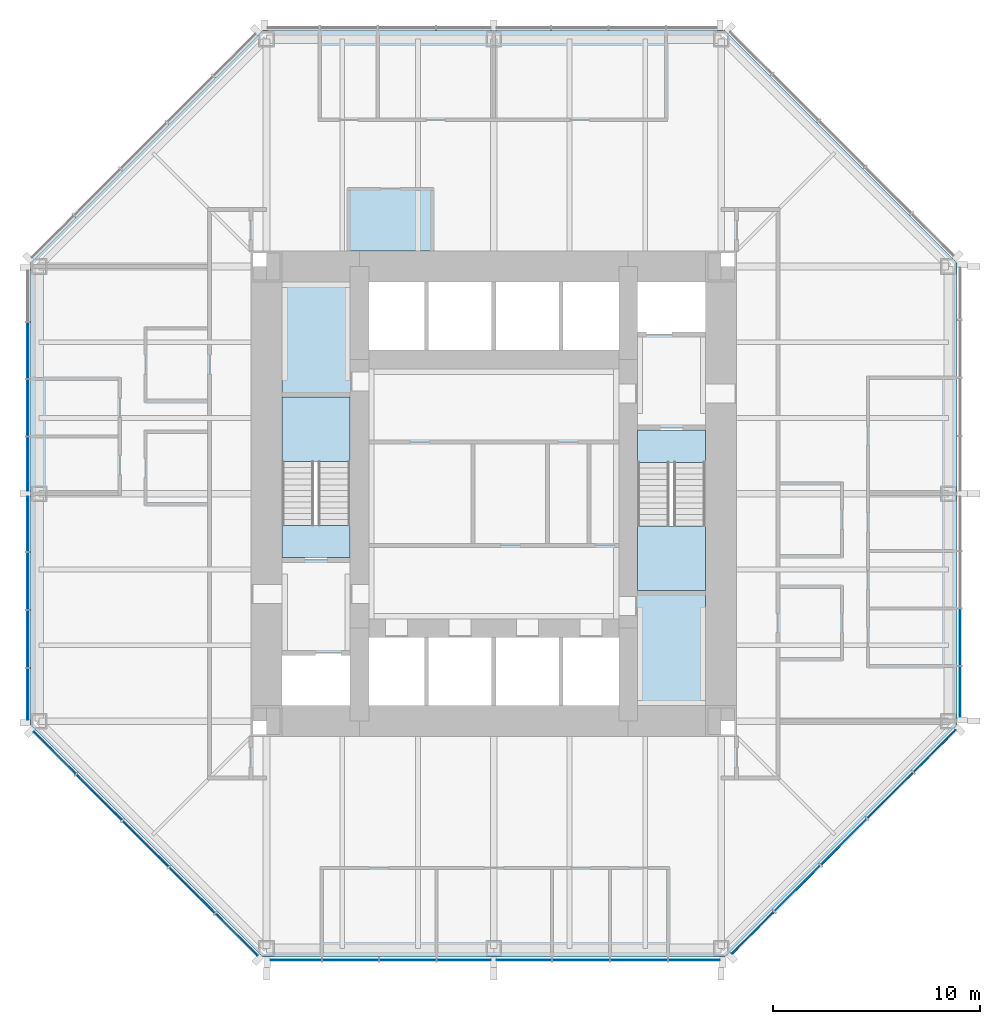
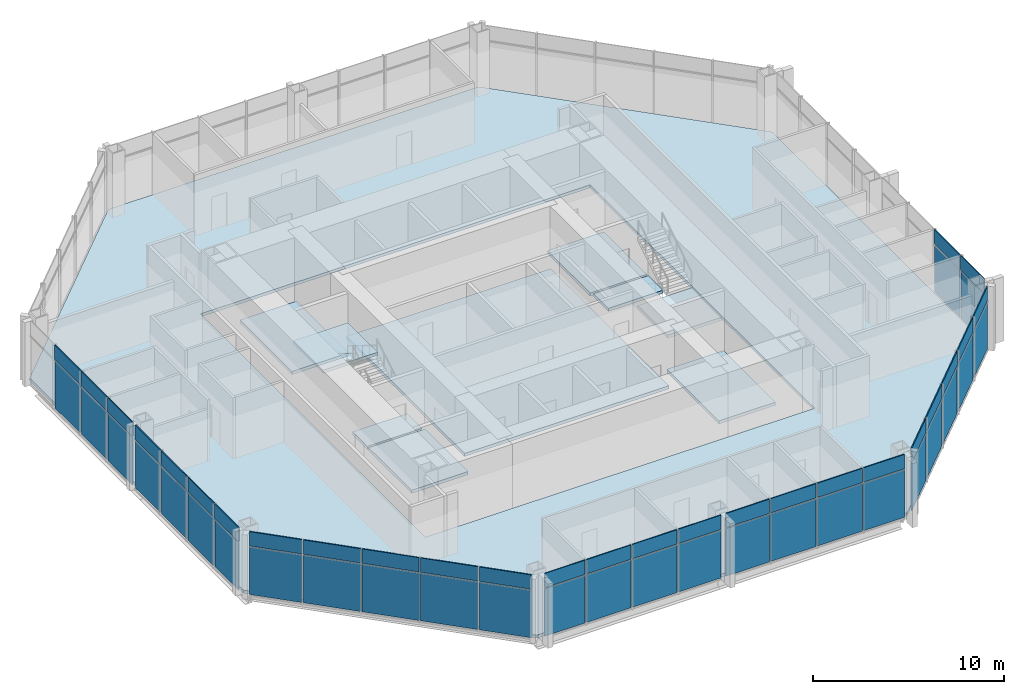
# One storey, part 7 of 12: 54 plates, 10 slabs, 7 elements without a shape of their own.
"""IFC4 building model written with IfcOpenShell, lengths in metres."""

from ifc_helpers import new_model, si_unit, direction, frame, origin, origin_2d, place, context, subcontext, project, spatial, polyline, rectangle, outline, extrude, material, layer, layer_set, type_object, element, aggregate, save


model = new_model("IFC4")

# Units and contexts
model_context = context("Model", 3, precision=1e-05, world=origin(), true_north=direction((0.0, 1.0)))
body_context = subcontext(model_context, "Body", "Model", "MODEL_VIEW")
ifc_project = project(units=[si_unit("LENGTHUNIT", "METRE"), si_unit("AREAUNIT", "SQUARE_METRE"), si_unit("VOLUMEUNIT", "CUBIC_METRE"), si_unit("PLANEANGLEUNIT", "RADIAN"), si_unit("MASSUNIT", "GRAM", prefix="KILO")], contexts=[model_context])

# Site, building, storey
site_placement = place(None, origin())
site = spatial("IfcSite", under=ifc_project, at=site_placement, CompositionType="ELEMENT")
building_placement = place(site_placement, origin())
building = spatial("IfcBuilding", under=site, at=building_placement, Name="Trevanion Tower", CompositionType="ELEMENT")
storey_placement = place(building_placement, frame((0.0, 0.0, 145.89990234375)))
storey = spatial("IfcBuildingStorey", under=building, at=storey_placement, Name="L34", CompositionType="ELEMENT", Elevation=145.89990234375)

# Curtain wall, plates
ifc_material_1 = material(Name="Aluminium and glass", Category="aluminium")
curtain_wall_type = type_object("IfcCurtainWallType", Name="CW2 curtain wall", PredefinedType="USERDEFINED", material=ifc_material_1)
curtain_wall_1_placement = place(storey_placement, origin())
curtain_wall_1 = element("IfcCurtainWall", 1, at=curtain_wall_1_placement, inside=storey, type_object=curtain_wall_type, Name="CW2 L34 0", ObjectType="UNITISED CURTAIN WALL", PredefinedType="USERDEFINED")
ifc_material_2 = material(Name="Aluminium spandrel panel", Category="aluminium")
ifc_layer_1 = layer(ifc_material_2, 0.06005859375)
ifc_layer_set_1 = layer_set([ifc_layer_1], Name="CW2 spandrel panel")
plate_type_1 = type_object("IfcPlateType", Name="CW2 spandrel panel", PredefinedType="CURTAIN_PANEL", material=ifc_layer_set_1)
plate_1_placement = place(storey_placement, frame((22.550048828125, -9.579345703125, 2.99755859375), z_axis=(0.0, 0.0, 1.0), x_axis=(0.0, 1.0, 0.0)))
plate_1 = element("IfcPlate", 2, at=plate_1_placement, type_object=plate_type_1, Name="CW2 panel 1.2", PredefinedType="CURTAIN_PANEL", context=body_context, shape_type="SweptSolid", body=[
    extrude(rectangle(XDim=2.43701171875, YDim=0.06005859375, at=origin_2d()), origin(), (0.0, 0.0, 1.0), 0.91259765625),
])
plate_2_placement = place(storey_placement, frame((22.550048828125, -6.93603515625, 2.99755859375), z_axis=(0.0, 0.0, 1.0), x_axis=(0.0, 1.0, 0.0)))
plate_2 = element("IfcPlate", 3, at=plate_2_placement, type_object=plate_type_1, Name="CW2 panel 2.2", PredefinedType="CURTAIN_PANEL", context=body_context, shape_type="SweptSolid", body=[
    extrude(rectangle(XDim=2.699462890625, YDim=0.06005859375, at=origin_2d()), origin(), (0.0, 0.0, 1.0), 0.91259765625),
])

curtain_wall_2_placement = place(storey_placement, origin())
curtain_wall_2 = element("IfcCurtainWall", 4, at=curtain_wall_2_placement, inside=storey, type_object=curtain_wall_type, Name="CW2 L34 4", ObjectType="UNITISED CURTAIN WALL", PredefinedType="USERDEFINED")
plate_3_placement = place(storey_placement, frame((-22.550048828125, 6.93603515625, 2.99755859375), z_axis=(0.0, 0.0, 1.0), x_axis=(0.0, -1.0, 0.0)))
plate_3 = element("IfcPlate", 5, at=plate_3_placement, type_object=plate_type_1, Name="CW2 panel 2.2", PredefinedType="CURTAIN_PANEL", context=body_context, shape_type="SweptSolid", body=[
    extrude(rectangle(XDim=2.699462890625, YDim=0.06005859375, at=origin_2d()), origin(), (0.0, 0.0, 1.0), 0.91259765625),
])
plate_4_placement = place(storey_placement, frame((-22.550048828125, 4.16162109375, 2.99755859375), z_axis=(0.0, 0.0, 1.0), x_axis=(0.0, -1.0, 0.0)))
plate_4 = element("IfcPlate", 6, at=plate_4_placement, type_object=plate_type_1, Name="CW2 panel 3.2", PredefinedType="CURTAIN_PANEL", context=body_context, shape_type="SweptSolid", body=[
    extrude(rectangle(XDim=2.699462890625, YDim=0.06005859375, at=origin_2d()), origin(), (0.0, 0.0, 1.0), 0.91259765625),
])
plate_5_placement = place(storey_placement, frame((-22.550048828125, 1.443603515625, 2.99755859375), z_axis=(0.0, 0.0, 1.0), x_axis=(0.0, -1.0, 0.0)))
plate_5 = element("IfcPlate", 7, at=plate_5_placement, type_object=plate_type_1, Name="CW2 panel 4.2", PredefinedType="CURTAIN_PANEL", context=body_context, shape_type="SweptSolid", body=[
    extrude(rectangle(XDim=2.5869140625, YDim=0.06005859375, at=origin_2d()), origin(), (0.0, 0.0, 1.0), 0.91259765625),
])
plate_6_placement = place(storey_placement, frame((-22.550048828125, -1.459716796875, 2.99755859375), z_axis=(0.0, 0.0, 1.0), x_axis=(0.0, -1.0, 0.0)))
plate_6 = element("IfcPlate", 8, at=plate_6_placement, type_object=plate_type_1, Name="CW2 panel 5.2", PredefinedType="CURTAIN_PANEL", context=body_context, shape_type="SweptSolid", body=[
    extrude(rectangle(XDim=2.619384765625, YDim=0.06005859375, at=origin_2d()), origin(), (0.0, 0.0, 1.0), 0.91259765625),
])
plate_7_placement = place(storey_placement, frame((-22.550048828125, -4.21044921875, 2.99755859375), z_axis=(0.0, 0.0, 1.0), x_axis=(0.0, -1.0, 0.0)))
plate_7 = element("IfcPlate", 9, at=plate_7_placement, type_object=plate_type_1, Name="CW2 panel 6.2", PredefinedType="CURTAIN_PANEL", context=body_context, shape_type="SweptSolid", body=[
    extrude(rectangle(XDim=2.73193359375, YDim=0.06005859375, at=origin_2d()), origin(), (0.0, 0.0, 1.0), 0.91259765625),
])
plate_8_placement = place(storey_placement, frame((-22.550048828125, -7.017333984375, 2.99755859375), z_axis=(0.0, 0.0, 1.0), x_axis=(0.0, -1.0, 0.0)))
plate_8 = element("IfcPlate", 10, at=plate_8_placement, type_object=plate_type_1, Name="CW2 panel 7.2", PredefinedType="CURTAIN_PANEL", context=body_context, shape_type="SweptSolid", body=[
    extrude(rectangle(XDim=2.73193359375, YDim=0.06005859375, at=origin_2d()), origin(), (0.0, 0.0, 1.0), 0.91259765625),
])
plate_9_placement = place(storey_placement, frame((-22.550048828125, -9.693115234375, 2.99755859375), z_axis=(0.0, 0.0, 1.0), x_axis=(0.0, -1.0, 0.0)))
plate_9 = element("IfcPlate", 11, at=plate_9_placement, type_object=plate_type_1, Name="CW2 panel 8.2", PredefinedType="CURTAIN_PANEL", context=body_context, shape_type="SweptSolid", body=[
    extrude(rectangle(XDim=2.469482421875, YDim=0.06005859375, at=origin_2d()), origin(), (0.0, 0.0, 1.0), 0.91259765625),
])

curtain_wall_3_placement = place(storey_placement, origin())
curtain_wall_3 = element("IfcCurtainWall", 12, at=curtain_wall_3_placement, inside=storey, type_object=curtain_wall_type, Name="CW2 L34 5", ObjectType="UNITISED CURTAIN WALL", PredefinedType="USERDEFINED")
plate_10_placement = place(storey_placement, frame((-21.2421875, -12.53564453125, 2.99755859375), z_axis=(0.0, 0.0, 1.0), x_axis=(0.707106781187, -0.707106781187, 0.0)))
plate_10 = element("IfcPlate", 13, at=plate_10_placement, type_object=plate_type_1, Name="CW2 panel 1.2", PredefinedType="CURTAIN_PANEL", context=body_context, shape_type="SweptSolid", body=[
    extrude(rectangle(XDim=2.8388671875, YDim=0.06005859375, at=origin_2d()), origin(), (0.0, 0.0, 1.0), 0.91259765625),
])
plate_11_placement = place(storey_placement, frame((-19.089111328125, -14.688720703125, 2.99755859375), z_axis=(0.0, 0.0, 1.0), x_axis=(0.707106781187, -0.707106781187, 0.0)))
plate_11 = element("IfcPlate", 14, at=plate_11_placement, type_object=plate_type_1, Name="CW2 panel 2.2", PredefinedType="CURTAIN_PANEL", context=body_context, shape_type="SweptSolid", body=[
    extrude(rectangle(XDim=3.101318359375, YDim=0.06005859375, at=origin_2d()), origin(), (0.0, 0.0, 1.0), 0.91259765625),
])
plate_12_placement = place(storey_placement, frame((-16.843017578125, -16.934814453125, 2.99755859375), z_axis=(0.0, 0.0, 1.0), x_axis=(0.707106781187, -0.707106781187, 0.0)))
plate_12 = element("IfcPlate", 15, at=plate_12_placement, type_object=plate_type_1, Name="CW2 panel 3.2", PredefinedType="CURTAIN_PANEL", context=body_context, shape_type="SweptSolid", body=[
    extrude(rectangle(XDim=3.101318359375, YDim=0.06005859375, at=origin_2d()), origin(), (0.0, 0.0, 1.0), 0.91259765625),
])
plate_13_placement = place(storey_placement, frame((-14.596923828125, -19.180908203125, 2.99755859375), z_axis=(0.0, 0.0, 1.0), x_axis=(0.707106781187, -0.707106781187, 0.0)))
plate_13 = element("IfcPlate", 16, at=plate_13_placement, type_object=plate_type_1, Name="CW2 panel 4.2", PredefinedType="CURTAIN_PANEL", context=body_context, shape_type="SweptSolid", body=[
    extrude(rectangle(XDim=3.101318359375, YDim=0.06005859375, at=origin_2d()), origin(), (0.0, 0.0, 1.0), 0.91259765625),
])
plate_14_placement = place(storey_placement, frame((-12.443603515625, -21.334228515625, 2.99755859375), z_axis=(0.0, 0.0, 1.0), x_axis=(0.707106781187, -0.707106781187, 0.0)))
plate_14 = element("IfcPlate", 17, at=plate_14_placement, type_object=plate_type_1, Name="CW2 panel 5.2", PredefinedType="CURTAIN_PANEL", context=body_context, shape_type="SweptSolid", body=[
    extrude(rectangle(XDim=2.8388671875, YDim=0.06005859375, at=origin_2d()), origin(), (0.0, 0.0, 1.0), 0.91259765625),
])

curtain_wall_4_placement = place(storey_placement, origin())
curtain_wall_4 = element("IfcCurtainWall", 18, at=curtain_wall_4_placement, inside=storey, type_object=curtain_wall_type, Name="CW2 L34 6", ObjectType="UNITISED CURTAIN WALL", PredefinedType="USERDEFINED")
plate_15_placement = place(storey_placement, frame((-9.579345703125, -22.550048828125, 2.99755859375), z_axis=(0.0, 0.0, 1.0), x_axis=(1.0, 0.0, 0.0)))
plate_15 = element("IfcPlate", 19, at=plate_15_placement, type_object=plate_type_1, Name="CW2 panel 1.2", PredefinedType="CURTAIN_PANEL", context=body_context, shape_type="SweptSolid", body=[
    extrude(rectangle(XDim=2.43701171875, YDim=0.06005859375, at=origin_2d()), origin(), (0.0, 0.0, 1.0), 0.91259765625),
])
plate_16_placement = place(storey_placement, frame((-6.93603515625, -22.550048828125, 2.99755859375), z_axis=(0.0, 0.0, 1.0), x_axis=(1.0, 0.0, 0.0)))
plate_16 = element("IfcPlate", 20, at=plate_16_placement, type_object=plate_type_1, Name="CW2 panel 2.2", PredefinedType="CURTAIN_PANEL", context=body_context, shape_type="SweptSolid", body=[
    extrude(rectangle(XDim=2.699462890625, YDim=0.06005859375, at=origin_2d()), origin(), (0.0, 0.0, 1.0), 0.91259765625),
])
plate_17_placement = place(storey_placement, frame((-4.16162109375, -22.550048828125, 2.99755859375), z_axis=(0.0, 0.0, 1.0), x_axis=(1.0, 0.0, 0.0)))
plate_17 = element("IfcPlate", 21, at=plate_17_placement, type_object=plate_type_1, Name="CW2 panel 3.2", PredefinedType="CURTAIN_PANEL", context=body_context, shape_type="SweptSolid", body=[
    extrude(rectangle(XDim=2.699462890625, YDim=0.06005859375, at=origin_2d()), origin(), (0.0, 0.0, 1.0), 0.91259765625),
])
plate_18_placement = place(storey_placement, frame((-1.443603515625, -22.550048828125, 2.99755859375), z_axis=(0.0, 0.0, 1.0), x_axis=(1.0, 0.0, 0.0)))
plate_18 = element("IfcPlate", 22, at=plate_18_placement, type_object=plate_type_1, Name="CW2 panel 4.2", PredefinedType="CURTAIN_PANEL", context=body_context, shape_type="SweptSolid", body=[
    extrude(rectangle(XDim=2.5869140625, YDim=0.06005859375, at=origin_2d()), origin(), (0.0, 0.0, 1.0), 0.91259765625),
])
plate_19_placement = place(storey_placement, frame((1.459716796875, -22.550048828125, 2.99755859375), z_axis=(0.0, 0.0, 1.0), x_axis=(1.0, 0.0, 0.0)))
plate_19 = element("IfcPlate", 23, at=plate_19_placement, type_object=plate_type_1, Name="CW2 panel 5.2", PredefinedType="CURTAIN_PANEL", context=body_context, shape_type="SweptSolid", body=[
    extrude(rectangle(XDim=2.619384765625, YDim=0.06005859375, at=origin_2d()), origin(), (0.0, 0.0, 1.0), 0.91259765625),
])
plate_20_placement = place(storey_placement, frame((4.21044921875, -22.550048828125, 2.99755859375), z_axis=(0.0, 0.0, 1.0), x_axis=(1.0, 0.0, 0.0)))
plate_20 = element("IfcPlate", 24, at=plate_20_placement, type_object=plate_type_1, Name="CW2 panel 6.2", PredefinedType="CURTAIN_PANEL", context=body_context, shape_type="SweptSolid", body=[
    extrude(rectangle(XDim=2.73193359375, YDim=0.06005859375, at=origin_2d()), origin(), (0.0, 0.0, 1.0), 0.91259765625),
])
plate_21_placement = place(storey_placement, frame((7.017333984375, -22.550048828125, 2.99755859375), z_axis=(0.0, 0.0, 1.0), x_axis=(1.0, 0.0, 0.0)))
plate_21 = element("IfcPlate", 25, at=plate_21_placement, type_object=plate_type_1, Name="CW2 panel 7.2", PredefinedType="CURTAIN_PANEL", context=body_context, shape_type="SweptSolid", body=[
    extrude(rectangle(XDim=2.73193359375, YDim=0.06005859375, at=origin_2d()), origin(), (0.0, 0.0, 1.0), 0.91259765625),
])
plate_22_placement = place(storey_placement, frame((9.693115234375, -22.550048828125, 2.99755859375), z_axis=(0.0, 0.0, 1.0), x_axis=(1.0, 0.0, 0.0)))
plate_22 = element("IfcPlate", 26, at=plate_22_placement, type_object=plate_type_1, Name="CW2 panel 8.2", PredefinedType="CURTAIN_PANEL", context=body_context, shape_type="SweptSolid", body=[
    extrude(rectangle(XDim=2.469482421875, YDim=0.06005859375, at=origin_2d()), origin(), (0.0, 0.0, 1.0), 0.91259765625),
])

curtain_wall_5_placement = place(storey_placement, origin())
curtain_wall_5 = element("IfcCurtainWall", 27, at=curtain_wall_5_placement, inside=storey, type_object=curtain_wall_type, Name="CW2 L34 7", ObjectType="UNITISED CURTAIN WALL", PredefinedType="USERDEFINED")
plate_23_placement = place(storey_placement, frame((12.53564453125, -21.2421875, 2.99755859375), z_axis=(0.0, 0.0, 1.0), x_axis=(0.707106781187, 0.707106781187, 0.0)))
plate_23 = element("IfcPlate", 28, at=plate_23_placement, type_object=plate_type_1, Name="CW2 panel 1.2", PredefinedType="CURTAIN_PANEL", context=body_context, shape_type="SweptSolid", body=[
    extrude(rectangle(XDim=2.8388671875, YDim=0.06005859375, at=origin_2d()), origin(), (0.0, 0.0, 1.0), 0.91259765625),
])
plate_24_placement = place(storey_placement, frame((14.688720703125, -19.089111328125, 2.99755859375), z_axis=(0.0, 0.0, 1.0), x_axis=(0.707106781187, 0.707106781187, 0.0)))
plate_24 = element("IfcPlate", 29, at=plate_24_placement, type_object=plate_type_1, Name="CW2 panel 2.2", PredefinedType="CURTAIN_PANEL", context=body_context, shape_type="SweptSolid", body=[
    extrude(rectangle(XDim=3.101318359375, YDim=0.06005859375, at=origin_2d()), origin(), (0.0, 0.0, 1.0), 0.91259765625),
])
plate_25_placement = place(storey_placement, frame((16.934814453125, -16.843017578125, 2.99755859375), z_axis=(0.0, 0.0, 1.0), x_axis=(0.707106781187, 0.707106781187, 0.0)))
plate_25 = element("IfcPlate", 30, at=plate_25_placement, type_object=plate_type_1, Name="CW2 panel 3.2", PredefinedType="CURTAIN_PANEL", context=body_context, shape_type="SweptSolid", body=[
    extrude(rectangle(XDim=3.101318359375, YDim=0.06005859375, at=origin_2d()), origin(), (0.0, 0.0, 1.0), 0.91259765625),
])
plate_26_placement = place(storey_placement, frame((19.180908203125, -14.596923828125, 2.99755859375), z_axis=(0.0, 0.0, 1.0), x_axis=(0.707106781187, 0.707106781187, 0.0)))
plate_26 = element("IfcPlate", 31, at=plate_26_placement, type_object=plate_type_1, Name="CW2 panel 4.2", PredefinedType="CURTAIN_PANEL", context=body_context, shape_type="SweptSolid", body=[
    extrude(rectangle(XDim=3.101318359375, YDim=0.06005859375, at=origin_2d()), origin(), (0.0, 0.0, 1.0), 0.91259765625),
])
plate_27_placement = place(storey_placement, frame((21.334228515625, -12.443603515625, 2.99755859375), z_axis=(0.0, 0.0, 1.0), x_axis=(0.707106781187, 0.707106781187, 0.0)))
plate_27 = element("IfcPlate", 32, at=plate_27_placement, type_object=plate_type_1, Name="CW2 panel 5.2", PredefinedType="CURTAIN_PANEL", context=body_context, shape_type="SweptSolid", body=[
    extrude(rectangle(XDim=2.8388671875, YDim=0.06005859375, at=origin_2d()), origin(), (0.0, 0.0, 1.0), 0.91259765625),
])

# Plate
ifc_material_3 = material(Name="Insulating glass unit", Category="glass")
ifc_layer_2 = layer(ifc_material_3, 0.028076171875)
ifc_layer_set_2 = layer_set([ifc_layer_2], Name="CW2 vision panel")
plate_type_2 = type_object("IfcPlateType", Name="CW2 vision panel", PredefinedType="CURTAIN_PANEL", material=ifc_layer_set_2)
plate_28_placement = place(storey_placement, frame((22.550048828125, -9.579345703125, -0.114990234375), z_axis=(0.0, 0.0, 1.0), x_axis=(0.0, 1.0, 0.0)))
plate_28 = element("IfcPlate", 33, at=plate_28_placement, type_object=plate_type_2, Name="CW2 panel 1.1", PredefinedType="CURTAIN_PANEL", context=body_context, shape_type="SweptSolid", body=[
    extrude(rectangle(XDim=2.43701171875, YDim=0.028076171875, at=origin_2d()), origin(), (0.0, 0.0, 1.0), 3.03759765625),
])

plate_29_placement = place(storey_placement, frame((22.550048828125, -6.93603515625, -0.114990234375), z_axis=(0.0, 0.0, 1.0), x_axis=(0.0, 1.0, 0.0)))
plate_29 = element("IfcPlate", 34, at=plate_29_placement, type_object=plate_type_2, Name="CW2 panel 2.1", PredefinedType="CURTAIN_PANEL", context=body_context, shape_type="SweptSolid", body=[
    extrude(rectangle(XDim=2.699462890625, YDim=0.028076171875, at=origin_2d()), origin(), (0.0, 0.0, 1.0), 3.03759765625),
])

aggregate(curtain_wall_1, [plate_28, plate_1, plate_29, plate_2])

plate_30_placement = place(storey_placement, frame((-22.550048828125, 6.93603515625, -0.114990234375), z_axis=(0.0, 0.0, 1.0), x_axis=(0.0, -1.0, 0.0)))
plate_30 = element("IfcPlate", 35, at=plate_30_placement, type_object=plate_type_2, Name="CW2 panel 2.1", PredefinedType="CURTAIN_PANEL", context=body_context, shape_type="SweptSolid", body=[
    extrude(rectangle(XDim=2.699462890625, YDim=0.028076171875, at=origin_2d()), origin(), (0.0, 0.0, 1.0), 3.03759765625),
])

plate_31_placement = place(storey_placement, frame((-22.550048828125, 4.16162109375, -0.114990234375), z_axis=(0.0, 0.0, 1.0), x_axis=(0.0, -1.0, 0.0)))
plate_31 = element("IfcPlate", 36, at=plate_31_placement, type_object=plate_type_2, Name="CW2 panel 3.1", PredefinedType="CURTAIN_PANEL", context=body_context, shape_type="SweptSolid", body=[
    extrude(rectangle(XDim=2.699462890625, YDim=0.028076171875, at=origin_2d()), origin(), (0.0, 0.0, 1.0), 3.03759765625),
])

plate_32_placement = place(storey_placement, frame((-22.550048828125, 1.443603515625, -0.114990234375), z_axis=(0.0, 0.0, 1.0), x_axis=(0.0, -1.0, 0.0)))
plate_32 = element("IfcPlate", 37, at=plate_32_placement, type_object=plate_type_2, Name="CW2 panel 4.1", PredefinedType="CURTAIN_PANEL", context=body_context, shape_type="SweptSolid", body=[
    extrude(rectangle(XDim=2.5869140625, YDim=0.028076171875, at=origin_2d()), origin(), (0.0, 0.0, 1.0), 3.03759765625),
])

plate_33_placement = place(storey_placement, frame((-22.550048828125, -1.459716796875, -0.114990234375), z_axis=(0.0, 0.0, 1.0), x_axis=(0.0, -1.0, 0.0)))
plate_33 = element("IfcPlate", 38, at=plate_33_placement, type_object=plate_type_2, Name="CW2 panel 5.1", PredefinedType="CURTAIN_PANEL", context=body_context, shape_type="SweptSolid", body=[
    extrude(rectangle(XDim=2.619384765625, YDim=0.028076171875, at=origin_2d()), origin(), (0.0, 0.0, 1.0), 3.03759765625),
])

plate_34_placement = place(storey_placement, frame((-22.550048828125, -4.21044921875, -0.114990234375), z_axis=(0.0, 0.0, 1.0), x_axis=(0.0, -1.0, 0.0)))
plate_34 = element("IfcPlate", 39, at=plate_34_placement, type_object=plate_type_2, Name="CW2 panel 6.1", PredefinedType="CURTAIN_PANEL", context=body_context, shape_type="SweptSolid", body=[
    extrude(rectangle(XDim=2.73193359375, YDim=0.028076171875, at=origin_2d()), origin(), (0.0, 0.0, 1.0), 3.03759765625),
])

plate_35_placement = place(storey_placement, frame((-22.550048828125, -7.017333984375, -0.114990234375), z_axis=(0.0, 0.0, 1.0), x_axis=(0.0, -1.0, 0.0)))
plate_35 = element("IfcPlate", 40, at=plate_35_placement, type_object=plate_type_2, Name="CW2 panel 7.1", PredefinedType="CURTAIN_PANEL", context=body_context, shape_type="SweptSolid", body=[
    extrude(rectangle(XDim=2.73193359375, YDim=0.028076171875, at=origin_2d()), origin(), (0.0, 0.0, 1.0), 3.03759765625),
])

plate_36_placement = place(storey_placement, frame((-22.550048828125, -9.693115234375, -0.114990234375), z_axis=(0.0, 0.0, 1.0), x_axis=(0.0, -1.0, 0.0)))
plate_36 = element("IfcPlate", 41, at=plate_36_placement, type_object=plate_type_2, Name="CW2 panel 8.1", PredefinedType="CURTAIN_PANEL", context=body_context, shape_type="SweptSolid", body=[
    extrude(rectangle(XDim=2.469482421875, YDim=0.028076171875, at=origin_2d()), origin(), (0.0, 0.0, 1.0), 3.03759765625),
])

aggregate(curtain_wall_2, [plate_30, plate_3, plate_31, plate_4, plate_32, plate_5, plate_33, plate_6, plate_34, plate_7, plate_35, plate_8, plate_36, plate_9])

plate_37_placement = place(storey_placement, frame((-21.2421875, -12.53564453125, -0.114990234375), z_axis=(0.0, 0.0, 1.0), x_axis=(0.707106781187, -0.707106781187, 0.0)))
plate_37 = element("IfcPlate", 42, at=plate_37_placement, type_object=plate_type_2, Name="CW2 panel 1.1", PredefinedType="CURTAIN_PANEL", context=body_context, shape_type="SweptSolid", body=[
    extrude(rectangle(XDim=2.8388671875, YDim=0.028076171875, at=origin_2d()), origin(), (0.0, 0.0, 1.0), 3.03759765625),
])

plate_38_placement = place(storey_placement, frame((-19.089111328125, -14.688720703125, -0.114990234375), z_axis=(0.0, 0.0, 1.0), x_axis=(0.707106781187, -0.707106781187, 0.0)))
plate_38 = element("IfcPlate", 43, at=plate_38_placement, type_object=plate_type_2, Name="CW2 panel 2.1", PredefinedType="CURTAIN_PANEL", context=body_context, shape_type="SweptSolid", body=[
    extrude(rectangle(XDim=3.101318359375, YDim=0.028076171875, at=origin_2d()), origin(), (0.0, 0.0, 1.0), 3.03759765625),
])

plate_39_placement = place(storey_placement, frame((-16.843017578125, -16.934814453125, -0.114990234375), z_axis=(0.0, 0.0, 1.0), x_axis=(0.707106781187, -0.707106781187, 0.0)))
plate_39 = element("IfcPlate", 44, at=plate_39_placement, type_object=plate_type_2, Name="CW2 panel 3.1", PredefinedType="CURTAIN_PANEL", context=body_context, shape_type="SweptSolid", body=[
    extrude(rectangle(XDim=3.101318359375, YDim=0.028076171875, at=origin_2d()), origin(), (0.0, 0.0, 1.0), 3.03759765625),
])

plate_40_placement = place(storey_placement, frame((-14.596923828125, -19.180908203125, -0.114990234375), z_axis=(0.0, 0.0, 1.0), x_axis=(0.707106781187, -0.707106781187, 0.0)))
plate_40 = element("IfcPlate", 45, at=plate_40_placement, type_object=plate_type_2, Name="CW2 panel 4.1", PredefinedType="CURTAIN_PANEL", context=body_context, shape_type="SweptSolid", body=[
    extrude(rectangle(XDim=3.101318359375, YDim=0.028076171875, at=origin_2d()), origin(), (0.0, 0.0, 1.0), 3.03759765625),
])

plate_41_placement = place(storey_placement, frame((-12.443603515625, -21.334228515625, -0.114990234375), z_axis=(0.0, 0.0, 1.0), x_axis=(0.707106781187, -0.707106781187, 0.0)))
plate_41 = element("IfcPlate", 46, at=plate_41_placement, type_object=plate_type_2, Name="CW2 panel 5.1", PredefinedType="CURTAIN_PANEL", context=body_context, shape_type="SweptSolid", body=[
    extrude(rectangle(XDim=2.8388671875, YDim=0.028076171875, at=origin_2d()), origin(), (0.0, 0.0, 1.0), 3.03759765625),
])

aggregate(curtain_wall_3, [plate_37, plate_10, plate_38, plate_11, plate_39, plate_12, plate_40, plate_13, plate_41, plate_14])

plate_42_placement = place(storey_placement, frame((-9.579345703125, -22.550048828125, -0.114990234375), z_axis=(0.0, 0.0, 1.0), x_axis=(1.0, 0.0, 0.0)))
plate_42 = element("IfcPlate", 47, at=plate_42_placement, type_object=plate_type_2, Name="CW2 panel 1.1", PredefinedType="CURTAIN_PANEL", context=body_context, shape_type="SweptSolid", body=[
    extrude(rectangle(XDim=2.43701171875, YDim=0.028076171875, at=origin_2d()), origin(), (0.0, 0.0, 1.0), 3.03759765625),
])

plate_43_placement = place(storey_placement, frame((-6.93603515625, -22.550048828125, -0.114990234375), z_axis=(0.0, 0.0, 1.0), x_axis=(1.0, 0.0, 0.0)))
plate_43 = element("IfcPlate", 48, at=plate_43_placement, type_object=plate_type_2, Name="CW2 panel 2.1", PredefinedType="CURTAIN_PANEL", context=body_context, shape_type="SweptSolid", body=[
    extrude(rectangle(XDim=2.699462890625, YDim=0.028076171875, at=origin_2d()), origin(), (0.0, 0.0, 1.0), 3.03759765625),
])

plate_44_placement = place(storey_placement, frame((-4.16162109375, -22.550048828125, -0.114990234375), z_axis=(0.0, 0.0, 1.0), x_axis=(1.0, 0.0, 0.0)))
plate_44 = element("IfcPlate", 49, at=plate_44_placement, type_object=plate_type_2, Name="CW2 panel 3.1", PredefinedType="CURTAIN_PANEL", context=body_context, shape_type="SweptSolid", body=[
    extrude(rectangle(XDim=2.699462890625, YDim=0.028076171875, at=origin_2d()), origin(), (0.0, 0.0, 1.0), 3.03759765625),
])

plate_45_placement = place(storey_placement, frame((-1.443603515625, -22.550048828125, -0.114990234375), z_axis=(0.0, 0.0, 1.0), x_axis=(1.0, 0.0, 0.0)))
plate_45 = element("IfcPlate", 50, at=plate_45_placement, type_object=plate_type_2, Name="CW2 panel 4.1", PredefinedType="CURTAIN_PANEL", context=body_context, shape_type="SweptSolid", body=[
    extrude(rectangle(XDim=2.5869140625, YDim=0.028076171875, at=origin_2d()), origin(), (0.0, 0.0, 1.0), 3.03759765625),
])

plate_46_placement = place(storey_placement, frame((1.459716796875, -22.550048828125, -0.114990234375), z_axis=(0.0, 0.0, 1.0), x_axis=(1.0, 0.0, 0.0)))
plate_46 = element("IfcPlate", 51, at=plate_46_placement, type_object=plate_type_2, Name="CW2 panel 5.1", PredefinedType="CURTAIN_PANEL", context=body_context, shape_type="SweptSolid", body=[
    extrude(rectangle(XDim=2.619384765625, YDim=0.028076171875, at=origin_2d()), origin(), (0.0, 0.0, 1.0), 3.03759765625),
])

plate_47_placement = place(storey_placement, frame((4.21044921875, -22.550048828125, -0.114990234375), z_axis=(0.0, 0.0, 1.0), x_axis=(1.0, 0.0, 0.0)))
plate_47 = element("IfcPlate", 52, at=plate_47_placement, type_object=plate_type_2, Name="CW2 panel 6.1", PredefinedType="CURTAIN_PANEL", context=body_context, shape_type="SweptSolid", body=[
    extrude(rectangle(XDim=2.73193359375, YDim=0.028076171875, at=origin_2d()), origin(), (0.0, 0.0, 1.0), 3.03759765625),
])

plate_48_placement = place(storey_placement, frame((7.017333984375, -22.550048828125, -0.114990234375), z_axis=(0.0, 0.0, 1.0), x_axis=(1.0, 0.0, 0.0)))
plate_48 = element("IfcPlate", 53, at=plate_48_placement, type_object=plate_type_2, Name="CW2 panel 7.1", PredefinedType="CURTAIN_PANEL", context=body_context, shape_type="SweptSolid", body=[
    extrude(rectangle(XDim=2.73193359375, YDim=0.028076171875, at=origin_2d()), origin(), (0.0, 0.0, 1.0), 3.03759765625),
])

plate_49_placement = place(storey_placement, frame((9.693115234375, -22.550048828125, -0.114990234375), z_axis=(0.0, 0.0, 1.0), x_axis=(1.0, 0.0, 0.0)))
plate_49 = element("IfcPlate", 54, at=plate_49_placement, type_object=plate_type_2, Name="CW2 panel 8.1", PredefinedType="CURTAIN_PANEL", context=body_context, shape_type="SweptSolid", body=[
    extrude(rectangle(XDim=2.469482421875, YDim=0.028076171875, at=origin_2d()), origin(), (0.0, 0.0, 1.0), 3.03759765625),
])

aggregate(curtain_wall_4, [plate_42, plate_15, plate_43, plate_16, plate_44, plate_17, plate_45, plate_18, plate_46, plate_19, plate_47, plate_20, plate_48, plate_21, plate_49, plate_22])

plate_50_placement = place(storey_placement, frame((12.53564453125, -21.2421875, -0.114990234375), z_axis=(0.0, 0.0, 1.0), x_axis=(0.707106781187, 0.707106781187, 0.0)))
plate_50 = element("IfcPlate", 55, at=plate_50_placement, type_object=plate_type_2, Name="CW2 panel 1.1", PredefinedType="CURTAIN_PANEL", context=body_context, shape_type="SweptSolid", body=[
    extrude(rectangle(XDim=2.8388671875, YDim=0.028076171875, at=origin_2d()), origin(), (0.0, 0.0, 1.0), 3.03759765625),
])

plate_51_placement = place(storey_placement, frame((14.688720703125, -19.089111328125, -0.114990234375), z_axis=(0.0, 0.0, 1.0), x_axis=(0.707106781187, 0.707106781187, 0.0)))
plate_51 = element("IfcPlate", 56, at=plate_51_placement, type_object=plate_type_2, Name="CW2 panel 2.1", PredefinedType="CURTAIN_PANEL", context=body_context, shape_type="SweptSolid", body=[
    extrude(rectangle(XDim=3.101318359375, YDim=0.028076171875, at=origin_2d()), origin(), (0.0, 0.0, 1.0), 3.03759765625),
])

plate_52_placement = place(storey_placement, frame((16.934814453125, -16.843017578125, -0.114990234375), z_axis=(0.0, 0.0, 1.0), x_axis=(0.707106781187, 0.707106781187, 0.0)))
plate_52 = element("IfcPlate", 57, at=plate_52_placement, type_object=plate_type_2, Name="CW2 panel 3.1", PredefinedType="CURTAIN_PANEL", context=body_context, shape_type="SweptSolid", body=[
    extrude(rectangle(XDim=3.101318359375, YDim=0.028076171875, at=origin_2d()), origin(), (0.0, 0.0, 1.0), 3.03759765625),
])

plate_53_placement = place(storey_placement, frame((19.180908203125, -14.596923828125, -0.114990234375), z_axis=(0.0, 0.0, 1.0), x_axis=(0.707106781187, 0.707106781187, 0.0)))
plate_53 = element("IfcPlate", 58, at=plate_53_placement, type_object=plate_type_2, Name="CW2 panel 4.1", PredefinedType="CURTAIN_PANEL", context=body_context, shape_type="SweptSolid", body=[
    extrude(rectangle(XDim=3.101318359375, YDim=0.028076171875, at=origin_2d()), origin(), (0.0, 0.0, 1.0), 3.03759765625),
])

plate_54_placement = place(storey_placement, frame((21.334228515625, -12.443603515625, -0.114990234375), z_axis=(0.0, 0.0, 1.0), x_axis=(0.707106781187, 0.707106781187, 0.0)))
plate_54 = element("IfcPlate", 59, at=plate_54_placement, type_object=plate_type_2, Name="CW2 panel 5.1", PredefinedType="CURTAIN_PANEL", context=body_context, shape_type="SweptSolid", body=[
    extrude(rectangle(XDim=2.8388671875, YDim=0.028076171875, at=origin_2d()), origin(), (0.0, 0.0, 1.0), 3.03759765625),
])

aggregate(curtain_wall_5, [plate_50, plate_23, plate_51, plate_24, plate_52, plate_25, plate_53, plate_26, plate_54, plate_27])

# Slabs
ifc_material_4 = material(Name="Concrete 5,000 psi on composite metal deck", Category="concrete")
ifc_layer_3 = layer(ifc_material_4, 0.18994140625)
ifc_layer_set_3 = layer_set([ifc_layer_3], Name="SL1 composite floor 190")
slab_type_1 = type_object("IfcSlabType", Name="SL1 composite floor 190", PredefinedType="FLOOR", material=ifc_layer_set_3)
slab_1_placement = place(storey_placement, frame((0.0, 0.0, -0.18994140625)))
element("IfcSlab", 60, at=slab_1_placement, inside=storey, type_object=slab_type_1, Name="SL1 L34 floor", PredefinedType="FLOOR", context=body_context, shape_type="SweptSolid", body=[
    extrude(outline(polyline([(22.419921875, -11.174072265625), (22.419921875, 11.174072265625), (11.174072265625, 22.419921875), (-11.174072265625, 22.419921875), (-22.419921875, 11.174072265625), (-22.419921875, -11.174072265625), (-11.174072265625, -22.419921875), (11.174072265625, -22.419921875), (22.419921875, -11.174072265625)]), holes=[polyline([(11.75, -11.75), (11.75, 11.75), (-11.75, 11.75), (-11.75, -11.75), (11.75, -11.75)])]), origin(), (0.0, 0.0, 1.0), 0.18994140625),
])
ifc_material_5 = material(Name="Concrete 5,000 psi", Category="concrete")
ifc_layer_4 = layer(ifc_material_5, 0.199951171875)
ifc_layer_set_4 = layer_set([ifc_layer_4], Name="SL2 core floor 200")
slab_type_2 = type_object("IfcSlabType", Name="SL2 core floor 200", PredefinedType="FLOOR", material=ifc_layer_set_4)
slab_2_placement = place(storey_placement, frame((0.0, 0.0, -0.199951171875)))
element("IfcSlab", 61, at=slab_2_placement, inside=storey, type_object=slab_type_2, Name="SL2 L34 core floor 1", PredefinedType="FLOOR", context=body_context, shape_type="SweptSolid", body=[
    extrude(outline(polyline([(10.25, -4.804931640625), (10.25, -10.25), (6.830078125, -10.25), (6.830078125, -4.804931640625), (10.25, -4.804931640625)])), origin(), (0.0, 0.0, 1.0), 0.199951171875),
])
slab_3_placement = place(storey_placement, frame((0.0, 0.0, -0.199951171875)))
element("IfcSlab", 62, at=slab_3_placement, inside=storey, type_object=slab_type_2, Name="SL2 L34 core floor 2", PredefinedType="FLOOR", context=body_context, shape_type="SweptSolid", body=[
    extrude(outline(polyline([(-6.830078125, -3.205078125), (-6.830078125, -7.695068359375), (-10.25, -7.695068359375), (-10.25, -3.205078125), (-6.830078125, -3.205078125)])), origin(), (0.0, 0.0, 1.0), 0.199951171875),
])
slab_4_placement = place(storey_placement, frame((0.0, 0.0, -0.199951171875)))
element("IfcSlab", 63, at=slab_4_placement, inside=storey, type_object=slab_type_2, Name="SL2 L34 core floor 3", PredefinedType="FLOOR", context=body_context, shape_type="SweptSolid", body=[
    extrude(outline(polyline([(6.169921875, -6.169921875), (-6.169921875, -6.169921875), (-6.169921875, 6.169921875), (6.169921875, 6.169921875), (6.169921875, -6.169921875)])), origin(), (0.0, 0.0, 1.0), 0.199951171875),
])
slab_5_placement = place(storey_placement, frame((0.0, 0.0, -0.199951171875)))
element("IfcSlab", 64, at=slab_5_placement, inside=storey, type_object=slab_type_2, Name="SL2 L34 core floor 4", PredefinedType="FLOOR", context=body_context, shape_type="SweptSolid", body=[
    extrude(outline(polyline([(6.830078125, 3.205078125), (6.830078125, 7.695068359375), (10.25, 7.695068359375), (10.25, 3.205078125), (6.830078125, 3.205078125)])), origin(), (0.0, 0.0, 1.0), 0.199951171875),
])
slab_6_placement = place(storey_placement, frame((0.0, 0.0, -0.199951171875)))
element("IfcSlab", 65, at=slab_6_placement, inside=storey, type_object=slab_type_2, Name="SL2 L34 core floor 5", PredefinedType="FLOOR", context=body_context, shape_type="SweptSolid", body=[
    extrude(outline(polyline([(-6.830078125, 4.804931640625), (-10.25, 4.804931640625), (-10.25, 10.25), (-6.830078125, 10.25), (-6.830078125, 4.804931640625)])), origin(), (0.0, 0.0, 1.0), 0.199951171875),
])

# Stair, slabs
ifc_material_6 = material(Name="Concrete 5,000 psi on steel stringers", Category="concrete")
stair_type = type_object("IfcStairType", Name="ST stair", PredefinedType="HALF_TURN_STAIR", material=ifc_material_6)
stair_1_placement = place(storey_placement, origin())
stair_1 = element("IfcStair", 66, at=stair_1_placement, inside=storey, type_object=stair_type, Name="ST1 L34", PredefinedType="HALF_TURN_STAIR")
ifc_material_7 = material(Name="Concrete 5,000 psi in steel pan", Category="concrete")
ifc_layer_5 = layer(ifc_material_7, 0.199951171875)
ifc_layer_set_5 = layer_set([ifc_layer_5], Name="STL stair landing 200")
slab_type_3 = type_object("IfcSlabType", Name="STL stair landing 200", PredefinedType="LANDING", material=ifc_layer_set_5)
slab_7_placement = place(storey_placement, frame((0.0, 0.0, -0.199951171875)))
slab_7 = element("IfcSlab", 67, at=slab_7_placement, type_object=slab_type_3, Name="ST1 landing 1", PredefinedType="LANDING", context=body_context, shape_type="SweptSolid", body=[
    extrude(outline(polyline([(6.949951171875, 1.52490234375), (10.25, 1.52490234375), (10.25, 3.074951171875), (6.949951171875, 3.074951171875), (6.949951171875, 1.52490234375)])), origin(), (0.0, 0.0, 1.0), 0.199951171875),
])
slab_8_placement = place(storey_placement, frame((0.0, 0.0, 1.85009765625)))
slab_8 = element("IfcSlab", 68, at=slab_8_placement, type_object=slab_type_3, Name="ST1 landing 2", PredefinedType="LANDING", context=body_context, shape_type="SweptSolid", body=[
    extrude(outline(polyline([(6.949951171875, -4.675048828125), (10.25, -4.675048828125), (10.25, -1.554931640625), (6.949951171875, -1.554931640625), (6.949951171875, -4.675048828125)])), origin(), (0.0, 0.0, 1.0), 0.199951171875),
])
aggregate(stair_1, [slab_7, slab_8])

stair_2_placement = place(storey_placement, origin())
stair_2 = element("IfcStair", 69, at=stair_2_placement, inside=storey, type_object=stair_type, Name="ST2 L34", PredefinedType="HALF_TURN_STAIR")
slab_9_placement = place(storey_placement, frame((0.0, 0.0, -0.199951171875)))
slab_9 = element("IfcSlab", 70, at=slab_9_placement, type_object=slab_type_3, Name="ST2 landing 1", PredefinedType="LANDING", context=body_context, shape_type="SweptSolid", body=[
    extrude(outline(polyline([(-6.949951171875, -1.52490234375), (-10.25, -1.52490234375), (-10.25, -3.074951171875), (-6.949951171875, -3.074951171875), (-6.949951171875, -1.52490234375)])), origin(), (0.0, 0.0, 1.0), 0.199951171875),
])
slab_10_placement = place(storey_placement, frame((0.0, 0.0, 1.85009765625)))
slab_10 = element("IfcSlab", 71, at=slab_10_placement, type_object=slab_type_3, Name="ST2 landing 2", PredefinedType="LANDING", context=body_context, shape_type="SweptSolid", body=[
    extrude(outline(polyline([(-6.949951171875, 4.675048828125), (-10.25, 4.675048828125), (-10.25, 1.554931640625), (-6.949951171875, 1.554931640625), (-6.949951171875, 4.675048828125)])), origin(), (0.0, 0.0, 1.0), 0.199951171875),
])
aggregate(stair_2, [slab_9, slab_10])

save(model, "model.ifc")
